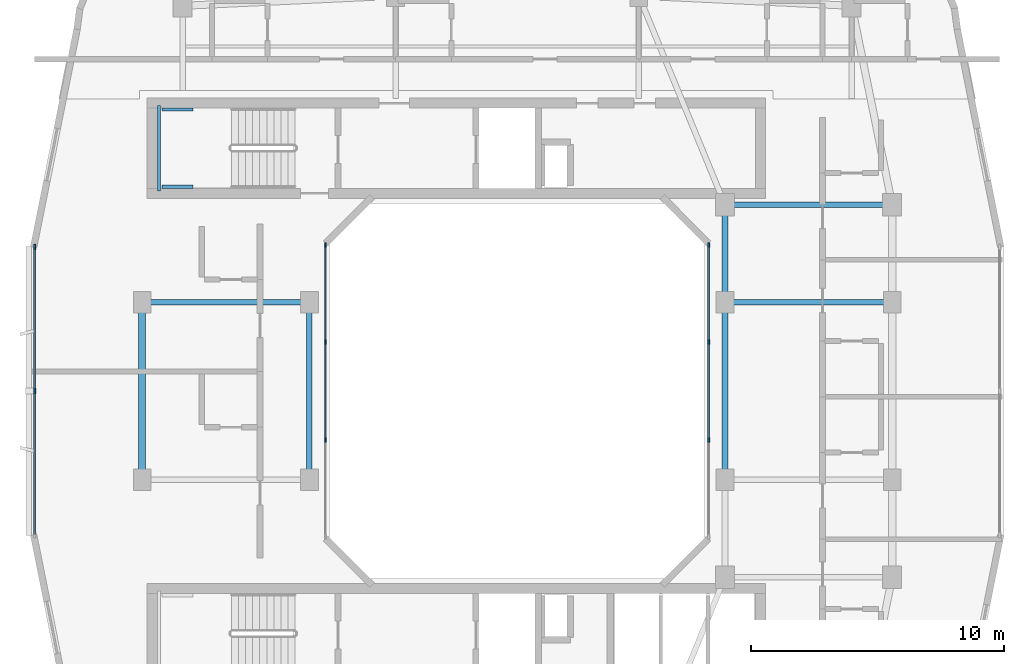
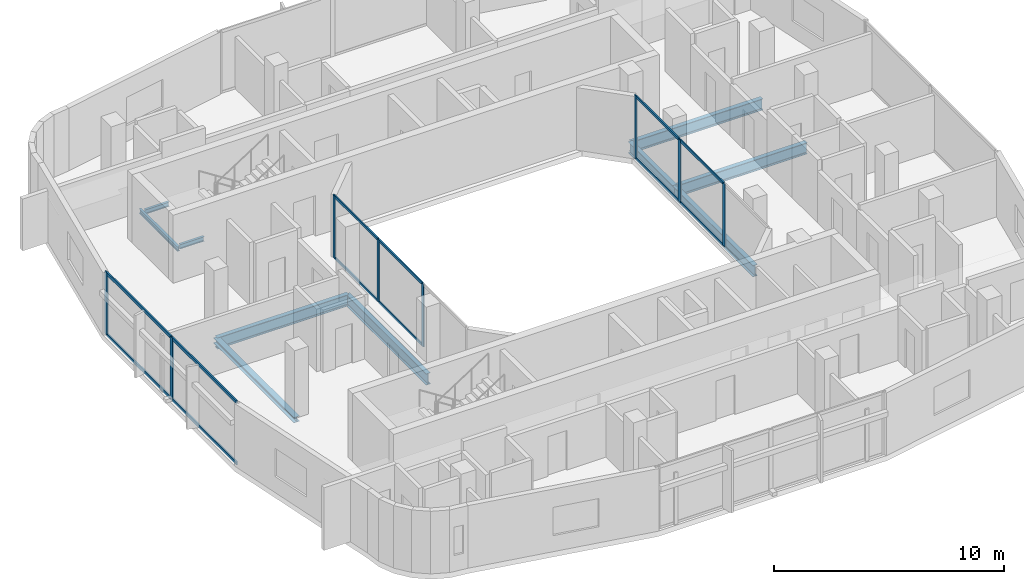
# One storey, part 3 of 14: 20 members, 10 beams, 3 elements without a shape of their own.
"""IFC4 building model written with IfcOpenShell, lengths in metres."""

from ifc_helpers import new_model, si_unit, derived_unit, direction, frame, origin, origin_2d, place, context, subcontext, project, spatial, rectangle, i_section, extrude, material, layer, layer_set, material_profile, profile_set, type_object, element, aggregate, save


model = new_model("IFC4")

# Units and contexts
model_context = context("Model", 3, precision=1e-05, world=origin(), true_north=direction((0.0, 1.0)))
body_context = subcontext(model_context, "Body", "Model", "MODEL_VIEW")
ifc_project = project(units=[si_unit("LENGTHUNIT", "METRE"), si_unit("AREAUNIT", "SQUARE_METRE"), si_unit("VOLUMEUNIT", "CUBIC_METRE"), si_unit("PLANEANGLEUNIT", "RADIAN"), si_unit("MASSUNIT", "GRAM", prefix="KILO"), derived_unit("THERMALTRANSMITTANCEUNIT", [(si_unit("POWERUNIT", "WATT"), 1), (si_unit("LENGTHUNIT", "METRE"), -2), (si_unit("THERMODYNAMICTEMPERATUREUNIT", "KELVIN"), -1)])], contexts=[model_context])

# Site, building, storey
site_placement = place(None, origin())
site = spatial("IfcSite", under=ifc_project, at=site_placement, CompositionType="ELEMENT")
building_placement = place(site_placement, origin())
building = spatial("IfcBuilding", under=site, at=building_placement, Name="Kivonza Crest Hotel", CompositionType="ELEMENT")
storey_placement = place(building_placement, frame((0.0, 0.0, 227.89990234375)))
storey = spatial("IfcBuildingStorey", under=building, at=storey_placement, Name="L62", CompositionType="ELEMENT", Elevation=227.89990234375)

# Beams
ifc_material_1 = material(Name="Steel S355", Category="steel")
ifc_material_profile_1 = material_profile(ifc_material_1, i_section(OverallWidth=0.280029296875, OverallDepth=0.280029296875, WebThickness=0.010498046875, FlangeThickness=0.01806640625, FilletRadius=0.02392578125, at=origin_2d()), Name="HEB 280")
ifc_profile_set_1 = profile_set([ifc_material_profile_1], Name="Steel S355")
beam_type_1 = type_object("IfcBeamType", Name="BM-HEB280", PredefinedType="SPANDREL", material=ifc_profile_set_1)
beam_1_placement = place(storey_placement, frame((6.199951171875, 28.5, -0.419921875), z_axis=(0.0, -1.0, 0.0), x_axis=(1.0, 0.0, 0.0)))
element("IfcBeam", 1, at=beam_1_placement, inside=storey, type_object=beam_type_1, Name="Tower T1 L62 perimeter spandrel W2-W1", PredefinedType="SPANDREL", context=body_context, shape_type="SweptSolid", body=[
    extrude(i_section(OverallWidth=0.280029296875, OverallDepth=0.280029296875, WebThickness=0.010498046875, FlangeThickness=0.01806640625, FilletRadius=0.02392578125, at=origin_2d()), origin(), (0.0, 0.0, 1.0), 7.0),
])
ifc_material_profile_2 = material_profile(ifc_material_1, i_section(OverallWidth=0.219970703125, OverallDepth=0.60009765625, WebThickness=0.011962890625, FlangeThickness=0.01904296875, FilletRadius=0.02392578125, at=origin_2d()), Name="IPE 600")
ifc_profile_set_2 = profile_set([ifc_material_profile_2], Name="Steel S355")
beam_type_2 = type_object("IfcBeamType", Name="BM-IPE600", PredefinedType="BEAM", material=ifc_profile_set_2)
beam_2_placement = place(storey_placement, frame((6.199951171875, 28.5, -0.579833984375), z_axis=(1.0, 0.0, 0.0), x_axis=(0.0, 1.0, 0.0)))
element("IfcBeam", 2, at=beam_2_placement, inside=storey, type_object=beam_type_2, Name="Tower T1 L62 primary girder W2-WL2", PredefinedType="BEAM", context=body_context, shape_type="SweptSolid", body=[
    extrude(i_section(OverallWidth=0.219970703125, OverallDepth=0.60009765625, WebThickness=0.011962890625, FlangeThickness=0.01904296875, FilletRadius=0.02392578125, at=origin_2d()), origin(), (0.0, 0.0, 1.0), 6.60009765625),
])
beam_3_placement = place(storey_placement, frame((12.800048828125, 21.5, -0.579833984375), z_axis=(0.0, 1.0, 0.0), x_axis=(-1.0, 0.0, 0.0)))
element("IfcBeam", 3, at=beam_3_placement, inside=storey, type_object=beam_type_2, Name="Tower T1 L62 primary girder WL1-WL2", PredefinedType="BEAM", context=body_context, shape_type="SweptSolid", body=[
    extrude(i_section(OverallWidth=0.219970703125, OverallDepth=0.60009765625, WebThickness=0.011962890625, FlangeThickness=0.01904296875, FilletRadius=0.02392578125, at=origin_2d()), origin(), (0.0, 0.0, 1.0), 7.0),
])
beam_4_placement = place(storey_placement, frame((29.199951171875, 32.35009765625, -0.579833984375), z_axis=(1.0, 0.0, 0.0), x_axis=(0.0, 1.0, 0.0)))
element("IfcBeam", 4, at=beam_4_placement, inside=storey, type_object=beam_type_2, Name="Tower T1 L62 primary girder TNE-PNE", PredefinedType="BEAM", context=body_context, shape_type="SweptSolid", body=[
    extrude(i_section(OverallWidth=0.219970703125, OverallDepth=0.60009765625, WebThickness=0.011962890625, FlangeThickness=0.01904296875, FilletRadius=0.02392578125, at=origin_2d()), origin(), (0.0, 0.0, 1.0), 6.60009765625),
])
beam_5_placement = place(storey_placement, frame((29.199951171875, 21.5, -0.579833984375), z_axis=(0.0, 1.0, 0.0), x_axis=(-1.0, 0.0, 0.0)))
element("IfcBeam", 5, at=beam_5_placement, inside=storey, type_object=beam_type_2, Name="Tower T1 L62 primary girder WR1-WR2", PredefinedType="BEAM", context=body_context, shape_type="SweptSolid", body=[
    extrude(i_section(OverallWidth=0.219970703125, OverallDepth=0.60009765625, WebThickness=0.011962890625, FlangeThickness=0.01904296875, FilletRadius=0.02392578125, at=origin_2d()), origin(), (0.0, 0.0, 1.0), 7.0),
])
beam_6_placement = place(storey_placement, frame((29.199951171875, 28.5, -0.579833984375), z_axis=(0.0, 1.0, 0.0), x_axis=(-1.0, 0.0, 0.0)))
element("IfcBeam", 6, at=beam_6_placement, inside=storey, type_object=beam_type_2, Name="Tower T1 L62 primary girder WR2-TNE", PredefinedType="BEAM", context=body_context, shape_type="SweptSolid", body=[
    extrude(i_section(OverallWidth=0.219970703125, OverallDepth=0.60009765625, WebThickness=0.011962890625, FlangeThickness=0.01904296875, FilletRadius=0.02392578125, at=origin_2d()), origin(), (0.0, 0.0, 1.0), 3.85009765625),
])
beam_7_placement = place(storey_placement, frame((29.199951171875, 28.5, -0.579833984375), z_axis=(1.0, 0.0, 0.0), x_axis=(0.0, 1.0, 0.0)))
element("IfcBeam", 7, at=beam_7_placement, inside=storey, type_object=beam_type_2, Name="Tower T1 L62 primary girder WR2-E2", PredefinedType="BEAM", context=body_context, shape_type="SweptSolid", body=[
    extrude(i_section(OverallWidth=0.219970703125, OverallDepth=0.60009765625, WebThickness=0.011962890625, FlangeThickness=0.01904296875, FilletRadius=0.02392578125, at=origin_2d()), origin(), (0.0, 0.0, 1.0), 6.60009765625),
])
ifc_material_profile_3 = material_profile(ifc_material_1, i_section(OverallWidth=0.1201171875, OverallDepth=0.239990234375, WebThickness=0.006103515625, FlangeThickness=0.009765625, FilletRadius=0.014892578125, at=origin_2d()), Name="IPE 240")
ifc_profile_set_3 = profile_set([ifc_material_profile_3], Name="Steel S355")
beam_type_3 = type_object("IfcBeamType", Name="BM-LLDG-240", PredefinedType="BEAM", material=ifc_profile_set_3)
beam_8_placement = place(storey_placement, frame((6.860107421875, 32.89990234375, 1.47998046875), z_axis=(0.0, 1.0, 0.0), x_axis=(-1.0, 0.0, 0.0)))
element("IfcBeam", 8, at=beam_8_placement, inside=storey, type_object=beam_type_3, Name="Stair ST-T1-N L62 West landing corbel", PredefinedType="BEAM", context=body_context, shape_type="SweptSolid", body=[
    extrude(i_section(OverallWidth=0.1201171875, OverallDepth=0.239990234375, WebThickness=0.006103515625, FlangeThickness=0.009765625, FilletRadius=0.014892578125, at=origin_2d()), origin(), (0.0, 0.0, 1.0), 3.360107421875),
])
for number, where, z_axis, x_axis, name in (
    (9, (6.989990234375, 33.06005859375, 1.47998046875), (1.0, 0.0, 0.0), (0.0, 1.0, 0.0), "Stair ST-T1-N L62 South landing corbel"),
    (10, (6.989990234375, 36.10009765625, 1.47998046875), (1.0, 0.0, 0.0), (0.0, 1.0, 0.0), "Stair ST-T1-N L62 North landing corbel"),
):
    element("IfcBeam", number, at=place(storey_placement, frame(where, z_axis=z_axis, x_axis=x_axis)), inside=storey, type_object=beam_type_3, Name=name, PredefinedType="BEAM", context=body_context, shape_type="SweptSolid", body=[
        extrude(i_section(OverallWidth=0.1201171875, OverallDepth=0.239990234375, WebThickness=0.006103515625, FlangeThickness=0.009765625, FilletRadius=0.014892578125, at=origin_2d()), origin(), (0.0, 0.0, 1.0), 1.2099609375),
    ])

# Curtain wall, members
ifc_material_2 = material(Name="Anodised bronze aluminium and low-E double glazing", Category="aluminium")
ifc_layer_1 = layer(ifc_material_2, 0.159912109375)
ifc_layer_set_1 = layer_set([ifc_layer_1], Name="Anodised bronze aluminium and low-E double glazing")
curtain_wall_type_1 = type_object("IfcCurtainWallType", Name="CW-SYS-5", PredefinedType="NOTDEFINED", material=ifc_layer_set_1)
curtain_wall_1_placement = place(storey_placement, origin())
curtain_wall_1 = element("IfcCurtainWall", 11, at=curtain_wall_1_placement, inside=storey, type_object=curtain_wall_type_1, Name="L62 unitised curtain wall CW-WELL-T1-L62-3", PredefinedType="NOTDEFINED")
ifc_material_3 = material(Name="Anodised bronze aluminium", Category="aluminium")
ifc_material_profile_4 = material_profile(ifc_material_3, rectangle(XDim=0.06494140625, YDim=0.179931640625, at=origin_2d()), Name="CW-M 65x180")
ifc_profile_set_4 = profile_set([ifc_material_profile_4], Name="Anodised bronze aluminium")
member_type_1 = type_object("IfcMemberType", Name="CW-MUL-65x180", PredefinedType="MULLION", material=ifc_profile_set_4)
member_1_placement = place(storey_placement, frame((28.56005859375, 23.066650390625, 0.0), z_axis=(0.0, 0.0, 1.0), x_axis=(-1.0, 0.0, 0.0)))
member_1 = element("IfcMember", 12, at=member_1_placement, type_object=member_type_1, Name="CW-5 mullion 2", PredefinedType="MULLION", context=body_context, shape_type="SweptSolid", body=[
    extrude(rectangle(XDim=0.06494140625, YDim=0.179931640625, at=origin_2d()), origin(), (0.0, 0.0, 1.0), 3.320068359375),
])
member_2_placement = place(storey_placement, frame((28.56005859375, 26.933349609375, 0.0), z_axis=(0.0, 0.0, 1.0), x_axis=(-1.0, 0.0, 0.0)))
member_2 = element("IfcMember", 13, at=member_2_placement, type_object=member_type_1, Name="CW-5 mullion 3", PredefinedType="MULLION", context=body_context, shape_type="SweptSolid", body=[
    extrude(rectangle(XDim=0.06494140625, YDim=0.179931640625, at=origin_2d()), origin(), (0.0, 0.0, 1.0), 3.320068359375),
])
member_3_placement = place(storey_placement, frame((28.56005859375, 30.767578125, 0.0), z_axis=(0.0, 0.0, 1.0), x_axis=(-1.0, 0.0, 0.0)))
member_3 = element("IfcMember", 14, at=member_3_placement, type_object=member_type_1, Name="CW-5 mullion 4", PredefinedType="MULLION", context=body_context, shape_type="SweptSolid", body=[
    extrude(rectangle(XDim=0.06494140625, YDim=0.179931640625, at=origin_2d()), origin(), (0.0, 0.0, 1.0), 3.320068359375),
])

curtain_wall_2_placement = place(storey_placement, origin())
curtain_wall_2 = element("IfcCurtainWall", 15, at=curtain_wall_2_placement, inside=storey, type_object=curtain_wall_type_1, Name="L62 unitised curtain wall CW-WELL-T1-L62-7", PredefinedType="NOTDEFINED")
member_4_placement = place(storey_placement, frame((13.43994140625, 30.767578125, 0.0), z_axis=(0.0, 0.0, 1.0), x_axis=(1.0, 0.0, 0.0)))
member_4 = element("IfcMember", 16, at=member_4_placement, type_object=member_type_1, Name="CW-5 mullion 1", PredefinedType="MULLION", context=body_context, shape_type="SweptSolid", body=[
    extrude(rectangle(XDim=0.06494140625, YDim=0.179931640625, at=origin_2d()), origin(), (0.0, 0.0, 1.0), 3.320068359375),
])
member_5_placement = place(storey_placement, frame((13.43994140625, 26.933349609375, 0.0), z_axis=(0.0, 0.0, 1.0), x_axis=(1.0, 0.0, 0.0)))
member_5 = element("IfcMember", 17, at=member_5_placement, type_object=member_type_1, Name="CW-5 mullion 2", PredefinedType="MULLION", context=body_context, shape_type="SweptSolid", body=[
    extrude(rectangle(XDim=0.06494140625, YDim=0.179931640625, at=origin_2d()), origin(), (0.0, 0.0, 1.0), 3.320068359375),
])
member_6_placement = place(storey_placement, frame((13.43994140625, 23.066650390625, 0.0), z_axis=(0.0, 0.0, 1.0), x_axis=(1.0, 0.0, 0.0)))
member_6 = element("IfcMember", 18, at=member_6_placement, type_object=member_type_1, Name="CW-5 mullion 3", PredefinedType="MULLION", context=body_context, shape_type="SweptSolid", body=[
    extrude(rectangle(XDim=0.06494140625, YDim=0.179931640625, at=origin_2d()), origin(), (0.0, 0.0, 1.0), 3.320068359375),
])

ifc_layer_2 = layer(ifc_material_2, 0.179931640625)
ifc_layer_set_2 = layer_set([ifc_layer_2], Name="Anodised bronze aluminium and low-E double glazing")
curtain_wall_type_2 = type_object("IfcCurtainWallType", Name="CW-SYS-3", PredefinedType="NOTDEFINED", material=ifc_layer_set_2)
curtain_wall_3_placement = place(storey_placement, origin())
curtain_wall_3 = element("IfcCurtainWall", 19, at=curtain_wall_3_placement, inside=storey, type_object=curtain_wall_type_2, Name="L62 unitised curtain wall CW-T1-L62-35", PredefinedType="NOTDEFINED")
ifc_material_profile_5 = material_profile(ifc_material_3, rectangle(XDim=0.074951171875, YDim=0.219970703125, at=origin_2d()), Name="CW-M 75x220")
ifc_profile_set_5 = profile_set([ifc_material_profile_5], Name="Anodised bronze aluminium")
member_type_2 = type_object("IfcMemberType", Name="CW-MUL-75x220", PredefinedType="MULLION", material=ifc_profile_set_5)
member_7_placement = place(storey_placement, frame((1.9599609375, 30.6826171875, 0.0), z_axis=(0.0, 0.0, 1.0), x_axis=(1.0, 0.0, 0.0)))
member_7 = element("IfcMember", 20, at=member_7_placement, type_object=member_type_2, Name="CW-3 mullion 1", PredefinedType="MULLION", context=body_context, shape_type="SweptSolid", body=[
    extrude(rectangle(XDim=0.074951171875, YDim=0.219970703125, at=origin_2d()), origin(), (0.0, 0.0, 1.0), 3.320068359375),
])
member_8_placement = place(storey_placement, frame((1.9599609375, 25.0, 0.0), z_axis=(0.0, 0.0, 1.0), x_axis=(1.0, 0.0, 0.0)))
member_8 = element("IfcMember", 21, at=member_8_placement, type_object=member_type_2, Name="CW-3 mullion 2", PredefinedType="MULLION", context=body_context, shape_type="SweptSolid", body=[
    extrude(rectangle(XDim=0.074951171875, YDim=0.219970703125, at=origin_2d()), origin(), (0.0, 0.0, 1.0), 3.320068359375),
])

# Member
ifc_material_profile_6 = material_profile(ifc_material_3, rectangle(XDim=0.06494140625, YDim=0.139892578125, at=origin_2d()), Name="CW-T 65x140")
ifc_profile_set_6 = profile_set([ifc_material_profile_6], Name="Anodised bronze aluminium")
member_type_3 = type_object("IfcMemberType", Name="CW-TRN-65x140", PredefinedType="USERDEFINED", material=ifc_profile_set_6)
member_9_placement = place(storey_placement, frame((28.56005859375, 23.09912109375, 0.03271484375), z_axis=(0.0, 1.0, 0.0), x_axis=(-1.0, 0.0, 0.0)))
member_9 = element("IfcMember", 22, at=member_9_placement, type_object=member_type_3, Name="CW-5 transom 2.1", ObjectType="TRANSOM", PredefinedType="USERDEFINED", context=body_context, shape_type="SweptSolid", body=[
    extrude(rectangle(XDim=0.06494140625, YDim=0.139892578125, at=origin_2d()), origin(), (0.0, 0.0, 1.0), 3.8017578125),
])

member_10_placement = place(storey_placement, frame((28.56005859375, 23.09912109375, 3.28759765625), z_axis=(0.0, 1.0, 0.0), x_axis=(-1.0, 0.0, 0.0)))
member_10 = element("IfcMember", 23, at=member_10_placement, type_object=member_type_3, Name="CW-5 transom 2.2", ObjectType="TRANSOM", PredefinedType="USERDEFINED", context=body_context, shape_type="SweptSolid", body=[
    extrude(rectangle(XDim=0.06494140625, YDim=0.139892578125, at=origin_2d()), origin(), (0.0, 0.0, 1.0), 3.8017578125),
])

member_11_placement = place(storey_placement, frame((28.56005859375, 26.9658203125, 0.03271484375), z_axis=(0.0, 1.0, 0.0), x_axis=(-1.0, 0.0, 0.0)))
member_11 = element("IfcMember", 24, at=member_11_placement, type_object=member_type_3, Name="CW-5 transom 3.1", ObjectType="TRANSOM", PredefinedType="USERDEFINED", context=body_context, shape_type="SweptSolid", body=[
    extrude(rectangle(XDim=0.06494140625, YDim=0.139892578125, at=origin_2d()), origin(), (0.0, 0.0, 1.0), 3.769287109375),
])

member_12_placement = place(storey_placement, frame((28.56005859375, 26.9658203125, 3.28759765625), z_axis=(0.0, 1.0, 0.0), x_axis=(-1.0, 0.0, 0.0)))
member_12 = element("IfcMember", 25, at=member_12_placement, type_object=member_type_3, Name="CW-5 transom 3.2", ObjectType="TRANSOM", PredefinedType="USERDEFINED", context=body_context, shape_type="SweptSolid", body=[
    extrude(rectangle(XDim=0.06494140625, YDim=0.139892578125, at=origin_2d()), origin(), (0.0, 0.0, 1.0), 3.769287109375),
])

aggregate(curtain_wall_1, [member_1, member_2, member_3, member_9, member_10, member_11, member_12])

member_13_placement = place(storey_placement, frame((13.43994140625, 30.735107421875, 0.03271484375), z_axis=(0.0, -1.0, 0.0), x_axis=(1.0, 0.0, 0.0)))
member_13 = element("IfcMember", 26, at=member_13_placement, type_object=member_type_3, Name="CW-5 transom 1.1", ObjectType="TRANSOM", PredefinedType="USERDEFINED", context=body_context, shape_type="SweptSolid", body=[
    extrude(rectangle(XDim=0.06494140625, YDim=0.139892578125, at=origin_2d()), origin(), (0.0, 0.0, 1.0), 3.769287109375),
])

member_14_placement = place(storey_placement, frame((13.43994140625, 30.735107421875, 3.28759765625), z_axis=(0.0, -1.0, 0.0), x_axis=(1.0, 0.0, 0.0)))
member_14 = element("IfcMember", 27, at=member_14_placement, type_object=member_type_3, Name="CW-5 transom 1.2", ObjectType="TRANSOM", PredefinedType="USERDEFINED", context=body_context, shape_type="SweptSolid", body=[
    extrude(rectangle(XDim=0.06494140625, YDim=0.139892578125, at=origin_2d()), origin(), (0.0, 0.0, 1.0), 3.769287109375),
])

member_15_placement = place(storey_placement, frame((13.43994140625, 26.90087890625, 0.03271484375), z_axis=(0.0, -1.0, 0.0), x_axis=(1.0, 0.0, 0.0)))
member_15 = element("IfcMember", 28, at=member_15_placement, type_object=member_type_3, Name="CW-5 transom 2.1", ObjectType="TRANSOM", PredefinedType="USERDEFINED", context=body_context, shape_type="SweptSolid", body=[
    extrude(rectangle(XDim=0.06494140625, YDim=0.139892578125, at=origin_2d()), origin(), (0.0, 0.0, 1.0), 3.8017578125),
])

member_16_placement = place(storey_placement, frame((13.43994140625, 26.90087890625, 3.28759765625), z_axis=(0.0, -1.0, 0.0), x_axis=(1.0, 0.0, 0.0)))
member_16 = element("IfcMember", 29, at=member_16_placement, type_object=member_type_3, Name="CW-5 transom 2.2", ObjectType="TRANSOM", PredefinedType="USERDEFINED", context=body_context, shape_type="SweptSolid", body=[
    extrude(rectangle(XDim=0.06494140625, YDim=0.139892578125, at=origin_2d()), origin(), (0.0, 0.0, 1.0), 3.8017578125),
])

aggregate(curtain_wall_2, [member_4, member_5, member_6, member_13, member_14, member_15, member_16])

ifc_material_profile_7 = material_profile(ifc_material_3, rectangle(XDim=0.074951171875, YDim=0.159912109375, at=origin_2d()), Name="CW-T 75x160")
ifc_profile_set_7 = profile_set([ifc_material_profile_7], Name="Anodised bronze aluminium")
member_type_4 = type_object("IfcMemberType", Name="CW-TRN-75x160", PredefinedType="USERDEFINED", material=ifc_profile_set_7)
member_17_placement = place(storey_placement, frame((1.9599609375, 30.64501953125, 0.03759765625), z_axis=(0.0, -1.0, 0.0), x_axis=(1.0, 0.0, 0.0)))
member_17 = element("IfcMember", 30, at=member_17_placement, type_object=member_type_4, Name="CW-3 transom 1.1", ObjectType="TRANSOM", PredefinedType="USERDEFINED", context=body_context, shape_type="SweptSolid", body=[
    extrude(rectangle(XDim=0.074951171875, YDim=0.159912109375, at=origin_2d()), origin(), (0.0, 0.0, 1.0), 5.607421875),
])

member_18_placement = place(storey_placement, frame((1.9599609375, 30.64501953125, 3.28271484375), z_axis=(0.0, -1.0, 0.0), x_axis=(1.0, 0.0, 0.0)))
member_18 = element("IfcMember", 31, at=member_18_placement, type_object=member_type_4, Name="CW-3 transom 1.2", ObjectType="TRANSOM", PredefinedType="USERDEFINED", context=body_context, shape_type="SweptSolid", body=[
    extrude(rectangle(XDim=0.074951171875, YDim=0.159912109375, at=origin_2d()), origin(), (0.0, 0.0, 1.0), 5.607421875),
])

member_19_placement = place(storey_placement, frame((1.9599609375, 24.96240234375, 0.03759765625), z_axis=(0.0, -1.0, 0.0), x_axis=(1.0, 0.0, 0.0)))
member_19 = element("IfcMember", 32, at=member_19_placement, type_object=member_type_4, Name="CW-3 transom 2.1", ObjectType="TRANSOM", PredefinedType="USERDEFINED", context=body_context, shape_type="SweptSolid", body=[
    extrude(rectangle(XDim=0.074951171875, YDim=0.159912109375, at=origin_2d()), origin(), (0.0, 0.0, 1.0), 5.607421875),
])

member_20_placement = place(storey_placement, frame((1.9599609375, 24.96240234375, 3.28271484375), z_axis=(0.0, -1.0, 0.0), x_axis=(1.0, 0.0, 0.0)))
member_20 = element("IfcMember", 33, at=member_20_placement, type_object=member_type_4, Name="CW-3 transom 2.2", ObjectType="TRANSOM", PredefinedType="USERDEFINED", context=body_context, shape_type="SweptSolid", body=[
    extrude(rectangle(XDim=0.074951171875, YDim=0.159912109375, at=origin_2d()), origin(), (0.0, 0.0, 1.0), 5.607421875),
])

aggregate(curtain_wall_3, [member_7, member_8, member_17, member_18, member_19, member_20])

save(model, "model.ifc")
